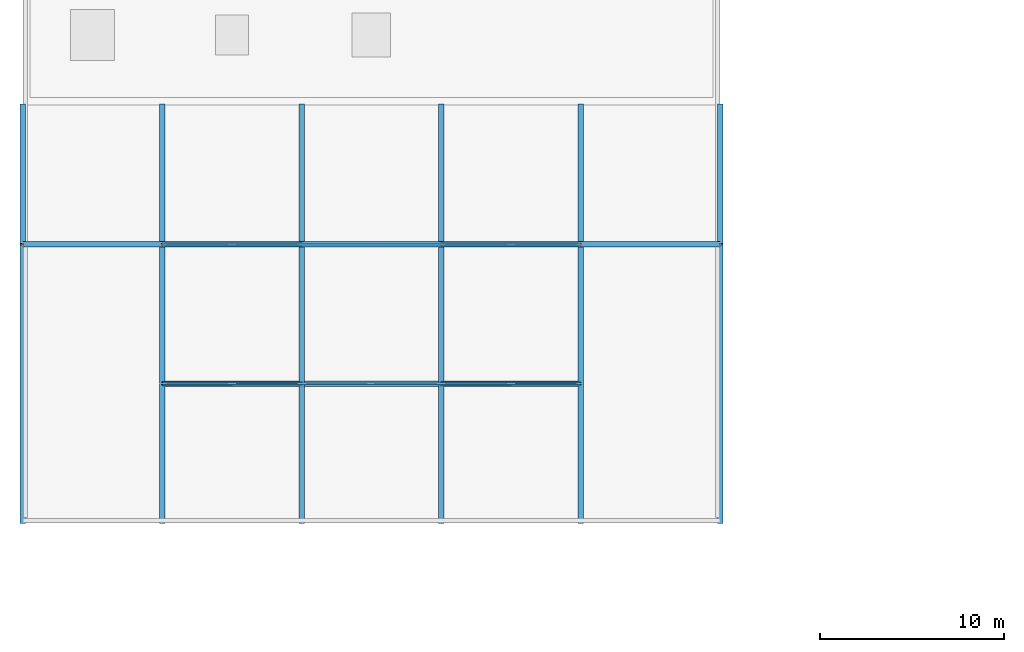
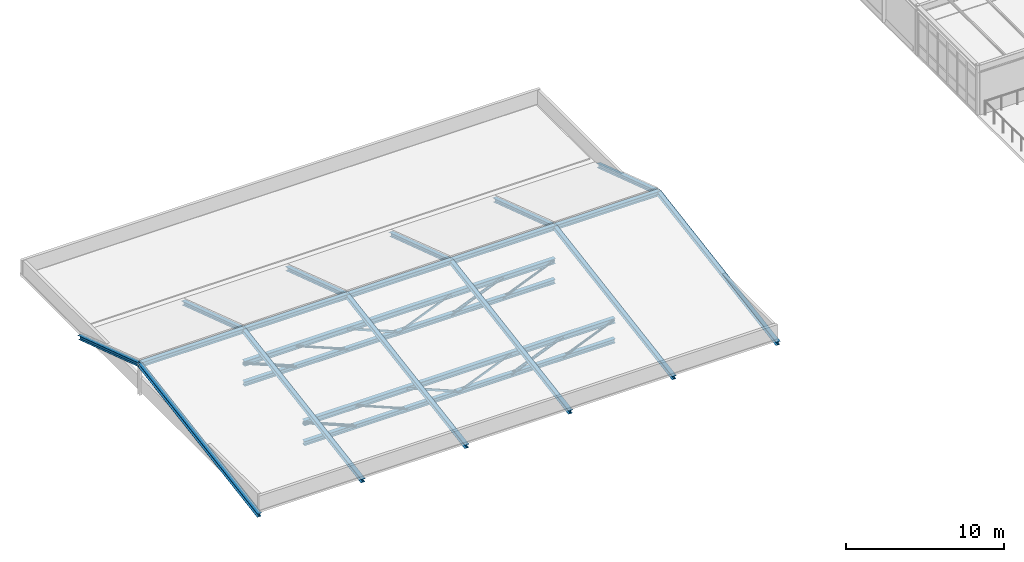
# One storey, part 13 of 65: 17 beams, 16 members.
"""IFC4 building model written with IfcOpenShell, lengths in metres."""

from ifc_helpers import new_model, si_unit, direction, frame, origin, origin_2d, place, context, subcontext, project, spatial, hollow_rectangle, hollow_circle, i_section, extrude, material, material_profile, profile_set, type_object, element, save


model = new_model("IFC4")

# Units and contexts
model_context = context("Model", 3, precision=1e-05, world=origin(), true_north=direction((0.0, 1.0)))
body_context = subcontext(model_context, "Body", "Model", "MODEL_VIEW")
ifc_project = project(units=[si_unit("LENGTHUNIT", "METRE"), si_unit("AREAUNIT", "SQUARE_METRE"), si_unit("VOLUMEUNIT", "CUBIC_METRE"), si_unit("PLANEANGLEUNIT", "RADIAN"), si_unit("MASSUNIT", "GRAM", prefix="KILO")], contexts=[model_context])

# Site, building, storey
site_placement = place(None, origin())
site = spatial("IfcSite", under=ifc_project, at=site_placement, CompositionType="ELEMENT")
building_placement = place(site_placement, origin())
building = spatial("IfcBuilding", under=site, at=building_placement, Name="Montecoro Central Library", CompositionType="ELEMENT")
storey_placement = place(building_placement, frame((0.0, 0.0, 17.340087890625)))
storey = spatial("IfcBuildingStorey", under=building, at=storey_placement, Name="L04", CompositionType="ELEMENT", Elevation=17.340087890625)

# Beams
ifc_material_1 = material(Name="Steel S355J2", Category="steel")
ifc_material_profile_1 = material_profile(ifc_material_1, i_section(OverallWidth=0.300048828125, OverallDepth=0.2900390625, WebThickness=0.008544921875, FlangeThickness=0.013916015625, at=origin_2d()), Name="HEA 300")
ifc_profile_set_1 = profile_set([ifc_material_profile_1], Name="Steel S355J2")
beam_type_1 = type_object("IfcBeamType", Name="BM-DR-HEA300", PredefinedType="BEAM", material=ifc_profile_set_1)
beam_1_placement = place(storey_placement, frame((5.0, 81.0, -0.340087890625), z_axis=(0.0, 0.986742497549, 0.162293695288), x_axis=(-1.0, 0.0, 0.0)))
element("IfcBeam", 1, at=beam_1_placement, inside=storey, type_object=beam_type_1, Name="V4-ROOF-RAF-S-1", PredefinedType="BEAM", context=body_context, shape_type="SweptSolid", body=[
    extrude(i_section(OverallWidth=0.300048828125, OverallDepth=0.2900390625, WebThickness=0.008544921875, FlangeThickness=0.013916015625, at=origin_2d()), origin(), (0.0, 0.0, 1.0), 15.404052734375),
])
beam_2_placement = place(storey_placement, frame((5.0, 103.800048828125, -0.340087890625), z_axis=(0.0, -0.949926981739, 0.312471965725), x_axis=(1.0, 0.0, 0.0)))
element("IfcBeam", 2, at=beam_2_placement, inside=storey, type_object=beam_type_1, Name="V4-ROOF-RAF-N-1", PredefinedType="BEAM", context=body_context, shape_type="SweptSolid", body=[
    extrude(i_section(OverallWidth=0.300048828125, OverallDepth=0.2900390625, WebThickness=0.008544921875, FlangeThickness=0.013916015625, at=origin_2d()), origin(), (0.0, 0.0, 1.0), 8.000732421875),
])
beam_3_placement = place(storey_placement, frame((12.60009765625, 81.0, -0.340087890625), z_axis=(0.0, 0.986742497549, 0.162293695288), x_axis=(-1.0, 0.0, 0.0)))
element("IfcBeam", 3, at=beam_3_placement, inside=storey, type_object=beam_type_1, Name="V4-ROOF-RAF-S-2", PredefinedType="BEAM", context=body_context, shape_type="SweptSolid", body=[
    extrude(i_section(OverallWidth=0.300048828125, OverallDepth=0.2900390625, WebThickness=0.008544921875, FlangeThickness=0.013916015625, at=origin_2d()), origin(), (0.0, 0.0, 1.0), 15.404052734375),
])
beam_4_placement = place(storey_placement, frame((12.60009765625, 103.800048828125, -0.340087890625), z_axis=(0.0, -0.949926981739, 0.312471965725), x_axis=(1.0, 0.0, 0.0)))
element("IfcBeam", 4, at=beam_4_placement, inside=storey, type_object=beam_type_1, Name="V4-ROOF-RAF-N-2", PredefinedType="BEAM", context=body_context, shape_type="SweptSolid", body=[
    extrude(i_section(OverallWidth=0.300048828125, OverallDepth=0.2900390625, WebThickness=0.008544921875, FlangeThickness=0.013916015625, at=origin_2d()), origin(), (0.0, 0.0, 1.0), 8.000732421875),
])
beam_5_placement = place(storey_placement, frame((20.199951171875, 81.0, -0.340087890625), z_axis=(0.0, 0.986742497549, 0.162293695288), x_axis=(-1.0, 0.0, 0.0)))
element("IfcBeam", 5, at=beam_5_placement, inside=storey, type_object=beam_type_1, Name="V4-ROOF-RAF-S-3", PredefinedType="BEAM", context=body_context, shape_type="SweptSolid", body=[
    extrude(i_section(OverallWidth=0.300048828125, OverallDepth=0.2900390625, WebThickness=0.008544921875, FlangeThickness=0.013916015625, at=origin_2d()), origin(), (0.0, 0.0, 1.0), 15.404052734375),
])
beam_6_placement = place(storey_placement, frame((20.199951171875, 103.800048828125, -0.340087890625), z_axis=(0.0, -0.949926981739, 0.312471965725), x_axis=(1.0, 0.0, 0.0)))
element("IfcBeam", 6, at=beam_6_placement, inside=storey, type_object=beam_type_1, Name="V4-ROOF-RAF-N-3", PredefinedType="BEAM", context=body_context, shape_type="SweptSolid", body=[
    extrude(i_section(OverallWidth=0.300048828125, OverallDepth=0.2900390625, WebThickness=0.008544921875, FlangeThickness=0.013916015625, at=origin_2d()), origin(), (0.0, 0.0, 1.0), 8.000732421875),
])
beam_7_placement = place(storey_placement, frame((27.800048828125, 81.0, -0.340087890625), z_axis=(0.0, 0.986742497549, 0.162293695288), x_axis=(-1.0, 0.0, 0.0)))
element("IfcBeam", 7, at=beam_7_placement, inside=storey, type_object=beam_type_1, Name="V4-ROOF-RAF-S-4", PredefinedType="BEAM", context=body_context, shape_type="SweptSolid", body=[
    extrude(i_section(OverallWidth=0.300048828125, OverallDepth=0.2900390625, WebThickness=0.008544921875, FlangeThickness=0.013916015625, at=origin_2d()), origin(), (0.0, 0.0, 1.0), 15.404052734375),
])
beam_8_placement = place(storey_placement, frame((27.800048828125, 103.800048828125, -0.340087890625), z_axis=(0.0, -0.949926981739, 0.312471965725), x_axis=(1.0, 0.0, 0.0)))
element("IfcBeam", 8, at=beam_8_placement, inside=storey, type_object=beam_type_1, Name="V4-ROOF-RAF-N-4", PredefinedType="BEAM", context=body_context, shape_type="SweptSolid", body=[
    extrude(i_section(OverallWidth=0.300048828125, OverallDepth=0.2900390625, WebThickness=0.008544921875, FlangeThickness=0.013916015625, at=origin_2d()), origin(), (0.0, 0.0, 1.0), 8.000732421875),
])
beam_9_placement = place(storey_placement, frame((35.39990234375, 81.0, -0.340087890625), z_axis=(0.0, 0.986742497549, 0.162293695288), x_axis=(-1.0, 0.0, 0.0)))
element("IfcBeam", 9, at=beam_9_placement, inside=storey, type_object=beam_type_1, Name="V4-ROOF-RAF-S-5", PredefinedType="BEAM", context=body_context, shape_type="SweptSolid", body=[
    extrude(i_section(OverallWidth=0.300048828125, OverallDepth=0.2900390625, WebThickness=0.008544921875, FlangeThickness=0.013916015625, at=origin_2d()), origin(), (0.0, 0.0, 1.0), 15.404052734375),
])
beam_10_placement = place(storey_placement, frame((35.39990234375, 103.800048828125, -0.340087890625), z_axis=(0.0, -0.949926981739, 0.312471965725), x_axis=(1.0, 0.0, 0.0)))
element("IfcBeam", 10, at=beam_10_placement, inside=storey, type_object=beam_type_1, Name="V4-ROOF-RAF-N-5", PredefinedType="BEAM", context=body_context, shape_type="SweptSolid", body=[
    extrude(i_section(OverallWidth=0.300048828125, OverallDepth=0.2900390625, WebThickness=0.008544921875, FlangeThickness=0.013916015625, at=origin_2d()), origin(), (0.0, 0.0, 1.0), 8.000732421875),
])
beam_11_placement = place(storey_placement, frame((43.0, 81.0, -0.340087890625), z_axis=(0.0, 0.986742497549, 0.162293695288), x_axis=(-1.0, 0.0, 0.0)))
element("IfcBeam", 11, at=beam_11_placement, inside=storey, type_object=beam_type_1, Name="V4-ROOF-RAF-S-6", PredefinedType="BEAM", context=body_context, shape_type="SweptSolid", body=[
    extrude(i_section(OverallWidth=0.300048828125, OverallDepth=0.2900390625, WebThickness=0.008544921875, FlangeThickness=0.013916015625, at=origin_2d()), origin(), (0.0, 0.0, 1.0), 15.404052734375),
])
beam_12_placement = place(storey_placement, frame((43.0, 103.800048828125, -0.340087890625), z_axis=(0.0, -0.949926981739, 0.312471965725), x_axis=(1.0, 0.0, 0.0)))
element("IfcBeam", 12, at=beam_12_placement, inside=storey, type_object=beam_type_1, Name="V4-ROOF-RAF-N-6", PredefinedType="BEAM", context=body_context, shape_type="SweptSolid", body=[
    extrude(i_section(OverallWidth=0.300048828125, OverallDepth=0.2900390625, WebThickness=0.008544921875, FlangeThickness=0.013916015625, at=origin_2d()), origin(), (0.0, 0.0, 1.0), 8.000732421875),
])
ifc_material_2 = material(Name="Steel S355", Category="steel")
ifc_material_profile_2 = material_profile(ifc_material_2, i_section(OverallWidth=0.300048828125, OverallDepth=0.35009765625, WebThickness=0.010009765625, FlangeThickness=0.017578125, at=origin_2d()), Name="HEA 360")
ifc_profile_set_2 = profile_set([ifc_material_profile_2], Name="Steel S355")
beam_type_2 = type_object("IfcBeamType", Name="BM-G-HEA360", PredefinedType="USERDEFINED", material=ifc_profile_set_2)
beam_13_placement = place(storey_placement, frame((5.0, 96.199951171875, 2.139892578125), z_axis=(1.0, 0.0, 0.0), x_axis=(0.0, 1.0, 0.0)))
element("IfcBeam", 13, at=beam_13_placement, inside=storey, type_object=beam_type_2, Name="V4-ROOF-RDG-1", ObjectType="GIRDER", PredefinedType="USERDEFINED", context=body_context, shape_type="SweptSolid", body=[
    extrude(i_section(OverallWidth=0.300048828125, OverallDepth=0.35009765625, WebThickness=0.010009765625, FlangeThickness=0.017578125, at=origin_2d()), origin(), (0.0, 0.0, 1.0), 7.60009765625),
])
beam_14_placement = place(storey_placement, frame((12.60009765625, 96.199951171875, 2.139892578125), z_axis=(1.0, 0.0, 0.0), x_axis=(0.0, 1.0, 0.0)))
element("IfcBeam", 14, at=beam_14_placement, inside=storey, type_object=beam_type_2, Name="V4-ROOF-RDG-2", ObjectType="GIRDER", PredefinedType="USERDEFINED", context=body_context, shape_type="SweptSolid", body=[
    extrude(i_section(OverallWidth=0.300048828125, OverallDepth=0.35009765625, WebThickness=0.010009765625, FlangeThickness=0.017578125, at=origin_2d()), origin(), (0.0, 0.0, 1.0), 7.599853515625),
])
beam_15_placement = place(storey_placement, frame((20.199951171875, 96.199951171875, 2.139892578125), z_axis=(1.0, 0.0, 0.0), x_axis=(0.0, 1.0, 0.0)))
element("IfcBeam", 15, at=beam_15_placement, inside=storey, type_object=beam_type_2, Name="V4-ROOF-RDG-3", ObjectType="GIRDER", PredefinedType="USERDEFINED", context=body_context, shape_type="SweptSolid", body=[
    extrude(i_section(OverallWidth=0.300048828125, OverallDepth=0.35009765625, WebThickness=0.010009765625, FlangeThickness=0.017578125, at=origin_2d()), origin(), (0.0, 0.0, 1.0), 7.60009765625),
])
beam_16_placement = place(storey_placement, frame((27.800048828125, 96.199951171875, 2.139892578125), z_axis=(1.0, 0.0, 0.0), x_axis=(0.0, 1.0, 0.0)))
element("IfcBeam", 16, at=beam_16_placement, inside=storey, type_object=beam_type_2, Name="V4-ROOF-RDG-4", ObjectType="GIRDER", PredefinedType="USERDEFINED", context=body_context, shape_type="SweptSolid", body=[
    extrude(i_section(OverallWidth=0.300048828125, OverallDepth=0.35009765625, WebThickness=0.010009765625, FlangeThickness=0.017578125, at=origin_2d()), origin(), (0.0, 0.0, 1.0), 7.599853515625),
])
beam_17_placement = place(storey_placement, frame((35.39990234375, 96.199951171875, 2.139892578125), z_axis=(1.0, 0.0, 0.0), x_axis=(0.0, 1.0, 0.0)))
element("IfcBeam", 17, at=beam_17_placement, inside=storey, type_object=beam_type_2, Name="V4-ROOF-RDG-5", ObjectType="GIRDER", PredefinedType="USERDEFINED", context=body_context, shape_type="SweptSolid", body=[
    extrude(i_section(OverallWidth=0.300048828125, OverallDepth=0.35009765625, WebThickness=0.010009765625, FlangeThickness=0.017578125, at=origin_2d()), origin(), (0.0, 0.0, 1.0), 7.60009765625),
])

# Members
ifc_material_profile_3 = material_profile(ifc_material_1, i_section(OverallWidth=0.300048828125, OverallDepth=0.330078125, WebThickness=0.009521484375, FlangeThickness=0.0166015625, at=origin_2d()), Name="HEA 340")
ifc_profile_set_3 = profile_set([ifc_material_profile_3], Name="Steel S355J2")
member_type_1 = type_object("IfcMemberType", Name="MB-TC-HEA340", PredefinedType="CHORD", material=ifc_profile_set_3)
for number, where, z_axis, x_axis, name in (
    (18, (12.60498046875, 88.60009765625, -2.005126953125), (1.0, 0.0, 0.0), (0.0, 1.0, 0.0), "V4-TR-M-BC"),
    (19, (12.60498046875, 96.199951171875, -2.005126953125), (1.0, 0.0, 0.0), (0.0, 1.0, 0.0), "V4-TR-N-BC"),
):
    element("IfcMember", number, at=place(storey_placement, frame(where, z_axis=z_axis, x_axis=x_axis)), inside=storey, type_object=member_type_1, Name=name, PredefinedType="CHORD", context=body_context, shape_type="SweptSolid", body=[
        extrude(i_section(OverallWidth=0.300048828125, OverallDepth=0.330078125, WebThickness=0.009521484375, FlangeThickness=0.0166015625, at=origin_2d()), origin(), (0.0, 0.0, 1.0), 22.7900390625),
    ])
ifc_material_profile_4 = material_profile(ifc_material_1, i_section(OverallWidth=0.300048828125, OverallDepth=0.389892578125, WebThickness=0.010986328125, FlangeThickness=0.01904296875, at=origin_2d()), Name="HEA 400")
ifc_profile_set_4 = profile_set([ifc_material_profile_4], Name="Steel S355J2")
member_type_2 = type_object("IfcMemberType", Name="MB-TC-HEA400", PredefinedType="CHORD", material=ifc_profile_set_4)
for number, where, z_axis, x_axis, name in (
    (20, (12.60498046875, 88.60009765625, -0.43505859375), (1.0, 0.0, 0.0), (0.0, 1.0, 0.0), "V4-TR-M-TC"),
    (21, (12.60498046875, 96.199951171875, -0.43505859375), (1.0, 0.0, 0.0), (0.0, 1.0, 0.0), "V4-TR-N-TC"),
):
    element("IfcMember", number, at=place(storey_placement, frame(where, z_axis=z_axis, x_axis=x_axis)), inside=storey, type_object=member_type_2, Name=name, PredefinedType="CHORD", context=body_context, shape_type="SweptSolid", body=[
        extrude(i_section(OverallWidth=0.300048828125, OverallDepth=0.389892578125, WebThickness=0.010986328125, FlangeThickness=0.01904296875, at=origin_2d()), origin(), (0.0, 0.0, 1.0), 22.7900390625),
    ])
ifc_material_profile_5 = material_profile(ifc_material_2, hollow_circle(Radius=0.084228515625, WallThickness=0.008056640625, at=origin_2d()), Name="CHS 168.3x8.0")
ifc_profile_set_5 = profile_set([ifc_material_profile_5], Name="Steel S355")
member_type_3 = type_object("IfcMemberType", Name="MB-TD-CHS168", PredefinedType="STRUT", material=ifc_profile_set_5)
member_1_placement = place(storey_placement, frame((16.403076171875, 88.60009765625, -0.43505859375), z_axis=(0.924176664211, 0.0, -0.381965303827), x_axis=(0.0, 1.0, 0.0)))
element("IfcMember", 22, at=member_1_placement, inside=storey, type_object=member_type_3, Name="V4-TR-M-D2", PredefinedType="STRUT", context=body_context, shape_type="SweptSolid", body=[
    extrude(hollow_circle(Radius=0.084228515625, WallThickness=0.008056640625, at=origin_2d()), origin(), (0.0, 0.0, 1.0), 4.110595703125),
])
member_2_placement = place(storey_placement, frame((31.596923828125, 88.60009765625, -2.005126953125), z_axis=(0.924150661312, 0.0, 0.382028212566), x_axis=(0.0, 1.0, 0.0)))
element("IfcMember", 23, at=member_2_placement, inside=storey, type_object=member_type_3, Name="V4-TR-M-D6", PredefinedType="STRUT", context=body_context, shape_type="SweptSolid", body=[
    extrude(hollow_circle(Radius=0.084228515625, WallThickness=0.008056640625, at=origin_2d()), origin(), (0.0, 0.0, 1.0), 4.10986328125),
])
member_3_placement = place(storey_placement, frame((16.403076171875, 96.199951171875, -0.43505859375), z_axis=(0.924176664211, 0.0, -0.381965303827), x_axis=(0.0, 1.0, 0.0)))
element("IfcMember", 24, at=member_3_placement, inside=storey, type_object=member_type_3, Name="V4-TR-N-D2", PredefinedType="STRUT", context=body_context, shape_type="SweptSolid", body=[
    extrude(hollow_circle(Radius=0.084228515625, WallThickness=0.008056640625, at=origin_2d()), origin(), (0.0, 0.0, 1.0), 4.110595703125),
])
member_4_placement = place(storey_placement, frame((31.596923828125, 96.199951171875, -2.005126953125), z_axis=(0.924150661312, 0.0, 0.382028212566), x_axis=(0.0, 1.0, 0.0)))
element("IfcMember", 25, at=member_4_placement, inside=storey, type_object=member_type_3, Name="V4-TR-N-D6", PredefinedType="STRUT", context=body_context, shape_type="SweptSolid", body=[
    extrude(hollow_circle(Radius=0.084228515625, WallThickness=0.008056640625, at=origin_2d()), origin(), (0.0, 0.0, 1.0), 4.10986328125),
])
ifc_material_profile_6 = material_profile(ifc_material_1, hollow_circle(Radius=0.109619140625, WallThickness=0.010009765625, at=origin_2d()), Name="CHS 219.1x10.0")
ifc_profile_set_6 = profile_set([ifc_material_profile_6], Name="Steel S355J2")
member_type_4 = type_object("IfcMemberType", Name="MB-TD-CHS219", PredefinedType="STRUT", material=ifc_profile_set_6)
member_5_placement = place(storey_placement, frame((12.60498046875, 88.60009765625, -0.43505859375), z_axis=(0.924150661312, 0.0, -0.382028212566), x_axis=(0.0, 1.0, 0.0)))
element("IfcMember", 26, at=member_5_placement, inside=storey, type_object=member_type_4, Name="V4-TR-M-D1", PredefinedType="STRUT", context=body_context, shape_type="SweptSolid", body=[
    extrude(hollow_circle(Radius=0.109619140625, WallThickness=0.010009765625, at=origin_2d()), origin(), (0.0, 0.0, 1.0), 4.10986328125),
])
member_6_placement = place(storey_placement, frame((27.798095703125, 88.60009765625, -2.005126953125), z_axis=(0.924176664211, 0.0, 0.381965303827), x_axis=(0.0, 1.0, 0.0)))
element("IfcMember", 27, at=member_6_placement, inside=storey, type_object=member_type_4, Name="V4-TR-M-D5", PredefinedType="STRUT", context=body_context, shape_type="SweptSolid", body=[
    extrude(hollow_circle(Radius=0.109619140625, WallThickness=0.010009765625, at=origin_2d()), origin(), (0.0, 0.0, 1.0), 4.110595703125),
])
member_7_placement = place(storey_placement, frame((12.60498046875, 96.199951171875, -0.43505859375), z_axis=(0.924150661312, 0.0, -0.382028212566), x_axis=(0.0, 1.0, 0.0)))
element("IfcMember", 28, at=member_7_placement, inside=storey, type_object=member_type_4, Name="V4-TR-N-D1", PredefinedType="STRUT", context=body_context, shape_type="SweptSolid", body=[
    extrude(hollow_circle(Radius=0.109619140625, WallThickness=0.010009765625, at=origin_2d()), origin(), (0.0, 0.0, 1.0), 4.10986328125),
])
member_8_placement = place(storey_placement, frame((27.798095703125, 96.199951171875, -2.005126953125), z_axis=(0.924176664211, 0.0, 0.381965303827), x_axis=(0.0, 1.0, 0.0)))
element("IfcMember", 29, at=member_8_placement, inside=storey, type_object=member_type_4, Name="V4-TR-N-D5", PredefinedType="STRUT", context=body_context, shape_type="SweptSolid", body=[
    extrude(hollow_circle(Radius=0.109619140625, WallThickness=0.010009765625, at=origin_2d()), origin(), (0.0, 0.0, 1.0), 4.110595703125),
])
ifc_material_profile_7 = material_profile(ifc_material_2, hollow_rectangle(XDim=0.080078125, YDim=0.139892578125, WallThickness=0.00634765625, at=origin_2d()), Name="RHS 140x80x6.3")
ifc_profile_set_7 = profile_set([ifc_material_profile_7], Name="Steel S355")
member_type_5 = type_object("IfcMemberType", Name="MB-TD-RHS140", PredefinedType="STRUT", material=ifc_profile_set_7)
for number, where, z_axis, x_axis, name in (
    (30, (24.0, 88.60009765625, -2.005126953125), (0.924150661312, 0.0, 0.382028212566), (0.0, 1.0, 0.0), "V4-TR-M-D4"),
    (31, (24.0, 96.199951171875, -2.005126953125), (0.924150661312, 0.0, 0.382028212566), (0.0, 1.0, 0.0), "V4-TR-N-D4"),
):
    element("IfcMember", number, at=place(storey_placement, frame(where, z_axis=z_axis, x_axis=x_axis)), inside=storey, type_object=member_type_5, Name=name, PredefinedType="STRUT", context=body_context, shape_type="SweptSolid", body=[
        extrude(hollow_rectangle(XDim=0.080078125, YDim=0.139892578125, WallThickness=0.00634765625, at=origin_2d()), origin(), (0.0, 0.0, 1.0), 4.10986328125),
    ])
ifc_material_profile_8 = material_profile(ifc_material_2, hollow_rectangle(XDim=0.080078125, YDim=0.159912109375, WallThickness=0.00634765625, at=origin_2d()), Name="RHS 160x80x6.3")
ifc_profile_set_8 = profile_set([ifc_material_profile_8], Name="Steel S355")
member_type_6 = type_object("IfcMemberType", Name="MB-TD-RHS160", PredefinedType="STRUT", material=ifc_profile_set_8)
for number, where, z_axis, x_axis, name in (
    (32, (20.201904296875, 88.60009765625, -0.43505859375), (0.924150661312, 0.0, -0.382028212566), (0.0, 1.0, 0.0), "V4-TR-M-D3"),
    (33, (20.201904296875, 96.199951171875, -0.43505859375), (0.924150661312, 0.0, -0.382028212566), (0.0, 1.0, 0.0), "V4-TR-N-D3"),
):
    element("IfcMember", number, at=place(storey_placement, frame(where, z_axis=z_axis, x_axis=x_axis)), inside=storey, type_object=member_type_6, Name=name, PredefinedType="STRUT", context=body_context, shape_type="SweptSolid", body=[
        extrude(hollow_rectangle(XDim=0.080078125, YDim=0.159912109375, WallThickness=0.00634765625, at=origin_2d()), origin(), (0.0, 0.0, 1.0), 4.10986328125),
    ])

save(model, "model.ifc")
